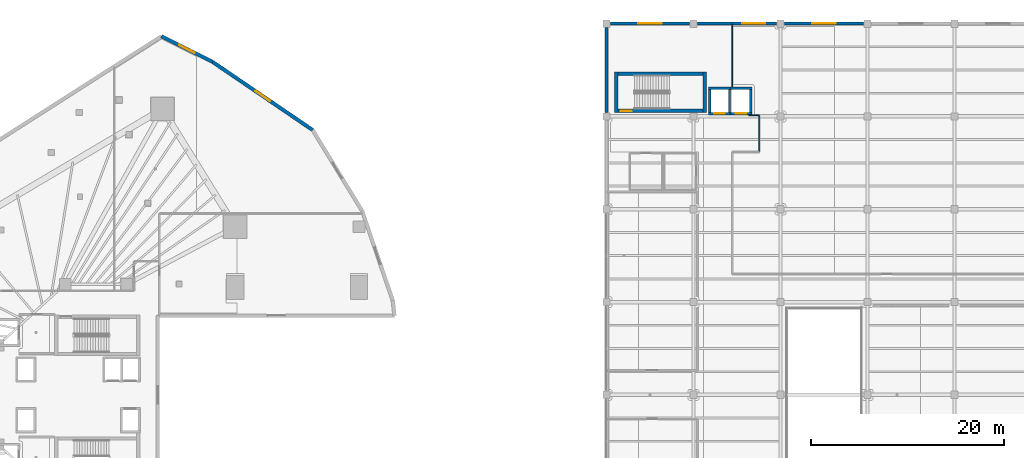
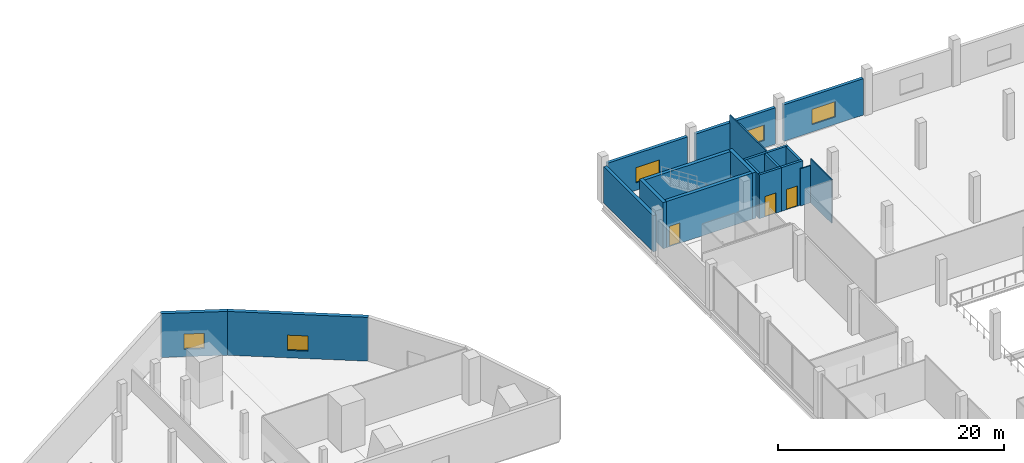
# One storey, part 33 of 47: 20 walls, 5 windows, 3 doors, 8 openings.
"""IFC4 building model written with IfcOpenShell, lengths in metres."""

from ifc_helpers import new_model, si_unit, direction, frame, frame_2d, origin, place, context, subcontext, project, spatial, rectangle, extrude, material, layer, layer_set, type_object, element, fill, save


model = new_model("IFC4")

# Units and contexts
model_context = context("Model", 3, precision=1e-05, world=origin(), true_north=direction((0.0, 1.0)))
body_context = subcontext(model_context, "Body", "Model", "MODEL_VIEW")
ifc_project = project(units=[si_unit("LENGTHUNIT", "METRE"), si_unit("AREAUNIT", "SQUARE_METRE"), si_unit("VOLUMEUNIT", "CUBIC_METRE"), si_unit("PLANEANGLEUNIT", "RADIAN"), si_unit("MASSUNIT", "GRAM", prefix="KILO")], contexts=[model_context])

# Site, building, storey
site_placement = place(None, origin())
site = spatial("IfcSite", under=ifc_project, at=site_placement, CompositionType="ELEMENT")
building_placement = place(site_placement, origin())
building = spatial("IfcBuilding", under=site, at=building_placement, Name="Qorvath Tower", CompositionType="ELEMENT")
storey_placement = place(building_placement, frame((0.0, 0.0, 12.0)))
storey = spatial("IfcBuildingStorey", under=building, at=storey_placement, Name="L02", CompositionType="ELEMENT", Elevation=12.0)

# Walls
ifc_material_1 = material(Name="Gypsum board on metal studs with mineral wool", Category="gypsum")
ifc_layer_1 = layer(ifc_material_1, 0.125)
ifc_layer_set_1 = layer_set([ifc_layer_1], Name="IW-PART-125")
wall_type_1 = type_object("IfcWallType", Name="IW-PART-125", PredefinedType="PARTITIONING", material=ifc_layer_set_1)
wall_1_placement = place(storey_placement, frame((48.18310546875, 28.907958984375, 0.0), z_axis=(0.0, 0.0, 1.0), x_axis=(-1.0, 0.0, 0.0)))
element("IfcWall", 1, at=wall_1_placement, inside=storey, type_object=wall_type_1, Name="Interior Partition IW-LB-L02-017", PredefinedType="PARTITIONING", context=body_context, shape_type="SweptSolid", body=[
    extrude(rectangle(XDim=1.05810546875, YDim=0.125, at=frame_2d((0.529052734375, 0.0))), origin(), (0.0, 0.0, 1.0), 4.01416015625),
])
wall_2_placement = place(storey_placement, frame((48.2080078125, 28.883056640625, 0.0), z_axis=(0.0, 0.0, 1.0), x_axis=(0.0, -1.0, 0.0)))
element("IfcWall", 2, at=wall_2_placement, inside=storey, type_object=wall_type_1, Name="Interior Partition IW-LB-L02-018", PredefinedType="PARTITIONING", context=body_context, shape_type="SweptSolid", body=[
    extrude(rectangle(XDim=3.745849609375, YDim=0.125, at=frame_2d((1.873046875, 0.0))), origin(), (0.0, 0.0, 1.0), 4.739990234375),
])
wall_3_placement = place(storey_placement, frame((45.39990234375, 38.320068359375, 0.0), z_axis=(0.0, 0.0, 1.0), x_axis=(0.0, -1.0, 0.0)))
element("IfcWall", 3, at=wall_3_placement, inside=storey, type_object=wall_type_1, Name="Interior Partition IW-LB-L02-022", PredefinedType="PARTITIONING", context=body_context, shape_type="SweptSolid", body=[
    extrude(rectangle(XDim=6.43505859375, YDim=0.125, at=frame_2d((3.217529296875, 0.0))), origin(), (0.0, 0.0, 1.0), 4.739990234375),
])

# Wall, opening, door
ifc_material_2 = material(Name="Concrete C60/75", Category="concrete")
ifc_layer_2 = layer(ifc_material_2, 0.260009765625)
ifc_layer_set_2 = layer_set([ifc_layer_2], Name="SW-SHAFT")
wall_type_2 = type_object("IfcWallType", Name="SW-SHAFT", PredefinedType="SHEAR", material=ifc_layer_set_2)
wall_4_placement = place(storey_placement, frame((45.239990234375, 29.080078125, 0.0), z_axis=(0.0, 0.0, 1.0), x_axis=(-1.0, 0.0, 0.0)))
wall_4 = element("IfcWall", 4, at=wall_4_placement, inside=storey, type_object=wall_type_2, Name="Hoistway Wall LL-1 L02 S", PredefinedType="SHEAR", context=body_context, shape_type="SweptSolid", body=[
    extrude(rectangle(XDim=2.280029296875, YDim=0.239990234375, at=frame_2d((1.14013671875, 0.0))), origin(), (0.0, 0.0, 1.0), 4.739990234375),
])
opening_1_placement = place(wall_4_placement, frame((0.58984375, 0.0, 0.0)))
opening_1 = element("IfcOpeningElement", 5, at=opening_1_placement, cuts=wall_4, Name="Opening LD-LL-1-L02", PredefinedType="OPENING", context=body_context, shape_type="SweptSolid", body=[
    extrude(rectangle(XDim=1.10009765625, YDim=2.199951171875, at=frame_2d((0.550048828125, 1.10009765625))), frame((0.0, 0.1298828125, 0.0), z_axis=(0.0, -1.0, 0.0), x_axis=(1.0, 0.0, 0.0)), (0.0, 0.0, 1.0), 0.260009765625),
])
ifc_material_3 = material(Name="Brushed stainless steel AISI 316", Category="steel")
door_type_1 = type_object("IfcDoorType", Name="LD-01", OperationType="NOTDEFINED", PredefinedType="DOOR", material=ifc_material_3)
door_1_placement = place(opening_1_placement, origin())
door_1 = element("IfcDoor", 6, at=door_1_placement, inside=storey, type_object=door_type_1, Name="Elevator Landing Sliding Door LD-LL-1-L02", OperationType="DOUBLE_DOOR_SLIDING", OverallHeight=2.199951171875, OverallWidth=1.10009765625, PredefinedType="DOOR", context=body_context, shape_type="SweptSolid", body=[
    extrude(rectangle(XDim=1.10009765625, YDim=2.199951171875, at=frame_2d((0.550048828125, 1.10009765625))), frame((0.0, 0.02490234375, 0.0), z_axis=(0.0, -1.0, 0.0), x_axis=(1.0, 0.0, 0.0)), (0.0, 0.0, 1.0), 0.050048828125),
])
fill(opening_1, door_1)

# Walls
wall_5_placement = place(storey_placement, frame((42.9599609375, 31.719970703125, 0.0), z_axis=(0.0, 0.0, 1.0), x_axis=(1.0, 0.0, 0.0)))
element("IfcWall", 7, at=wall_5_placement, inside=storey, type_object=wall_type_2, Name="Hoistway Wall LL-1 L02 N", PredefinedType="SHEAR", context=body_context, shape_type="SweptSolid", body=[
    extrude(rectangle(XDim=2.280029296875, YDim=0.239990234375, at=frame_2d((1.14013671875, 0.0))), origin(), (0.0, 0.0, 1.0), 4.739990234375),
])
for number, where, z_axis, x_axis, name in (
    (8, (43.080078125, 29.2119140625, 0.0), (0.0, 0.0, 1.0), (0.0, 1.0, 0.0), "Hoistway Wall LL-1 L02 W"),
    (9, (45.1201171875, 31.587890625, 0.0), (0.0, 0.0, 1.0), (0.0, -1.0, 0.0), "Hoistway Wall LL-1 L02 E"),
):
    element("IfcWall", number, at=place(storey_placement, frame(where, z_axis=z_axis, x_axis=x_axis)), inside=storey, type_object=wall_type_2, Name=name, PredefinedType="SHEAR", context=body_context, shape_type="SweptSolid", body=[
        extrude(rectangle(XDim=2.3759765625, YDim=0.239990234375, at=frame_2d((1.18798828125, 0.0))), origin(), (0.0, 0.0, 1.0), 4.739990234375),
    ])

# Wall, opening, door
wall_6_placement = place(storey_placement, frame((47.43994140625, 29.080078125, 0.0), z_axis=(0.0, 0.0, 1.0), x_axis=(-1.0, 0.0, 0.0)))
wall_6 = element("IfcWall", 10, at=wall_6_placement, inside=storey, type_object=wall_type_2, Name="Hoistway Wall LL-2 L02 S", PredefinedType="SHEAR", context=body_context, shape_type="SweptSolid", body=[
    extrude(rectangle(XDim=2.199951171875, YDim=0.239990234375, at=frame_2d((1.10009765625, 0.0))), origin(), (0.0, 0.0, 1.0), 4.739990234375),
])
opening_2_placement = place(wall_6_placement, frame((0.58984375, 0.0, 0.0)))
opening_2 = element("IfcOpeningElement", 11, at=opening_2_placement, cuts=wall_6, Name="Opening LD-LL-2-L02", PredefinedType="OPENING", context=body_context, shape_type="SweptSolid", body=[
    extrude(rectangle(XDim=1.10009765625, YDim=2.199951171875, at=frame_2d((0.550048828125, 1.10009765625))), frame((0.0, 0.1298828125, 0.0), z_axis=(0.0, -1.0, 0.0), x_axis=(1.0, 0.0, 0.0)), (0.0, 0.0, 1.0), 0.260009765625),
])
door_2_placement = place(opening_2_placement, origin())
door_2 = element("IfcDoor", 12, at=door_2_placement, inside=storey, type_object=door_type_1, Name="Elevator Landing Sliding Door LD-LL-2-L02", OperationType="DOUBLE_DOOR_SLIDING", OverallHeight=2.199951171875, OverallWidth=1.10009765625, PredefinedType="DOOR", context=body_context, shape_type="SweptSolid", body=[
    extrude(rectangle(XDim=1.10009765625, YDim=2.199951171875, at=frame_2d((0.550048828125, 1.10009765625))), frame((0.0, 0.02490234375, 0.0), z_axis=(0.0, -1.0, 0.0), x_axis=(1.0, 0.0, 0.0)), (0.0, 0.0, 1.0), 0.050048828125),
])
fill(opening_2, door_2)

# Walls
wall_7_placement = place(storey_placement, frame((45.239990234375, 31.719970703125, 0.0), z_axis=(0.0, 0.0, 1.0), x_axis=(1.0, 0.0, 0.0)))
element("IfcWall", 13, at=wall_7_placement, inside=storey, type_object=wall_type_2, Name="Hoistway Wall LL-2 L02 N", PredefinedType="SHEAR", context=body_context, shape_type="SweptSolid", body=[
    extrude(rectangle(XDim=2.199951171875, YDim=0.239990234375, at=frame_2d((1.10009765625, 0.0))), origin(), (0.0, 0.0, 1.0), 4.739990234375),
])
wall_8_placement = place(storey_placement, frame((47.320068359375, 31.587890625, 0.0), z_axis=(0.0, 0.0, 1.0), x_axis=(0.0, -1.0, 0.0)))
element("IfcWall", 14, at=wall_8_placement, inside=storey, type_object=wall_type_2, Name="Hoistway Wall LL-2 L02 E", PredefinedType="SHEAR", context=body_context, shape_type="SweptSolid", body=[
    extrude(rectangle(XDim=2.3759765625, YDim=0.239990234375, at=frame_2d((1.18798828125, 0.0))), origin(), (0.0, 0.0, 1.0), 4.739990234375),
])
ifc_material_4 = material(Name="Concrete C60/75", Category="concrete")
ifc_layer_3 = layer(ifc_material_4, 0.35009765625)
ifc_layer_set_3 = layer_set([ifc_layer_3], Name="SW-STAIR")
wall_type_3 = type_object("IfcWallType", Name="SW-STAIR", PredefinedType="SHEAR", material=ifc_layer_set_3)
for number, where, z_axis, x_axis, name in (
    (15, (33.425048828125, 33.409912109375, 0.0), (0.0, 0.0, 1.0), (0.0, -1.0, 0.0), "Stair LS1 Shear Wall L02 NEAR"),
    (16, (42.574951171875, 29.199951171875, 0.0), (0.0, 0.0, 1.0), (0.0, 1.0, 0.0), "Stair LS1 Shear Wall L02 FAR"),
):
    element("IfcWall", number, at=place(storey_placement, frame(where, z_axis=z_axis, x_axis=x_axis)), inside=storey, type_object=wall_type_3, Name=name, PredefinedType="SHEAR", context=body_context, shape_type="SweptSolid", body=[
        extrude(rectangle(XDim=4.2099609375, YDim=0.35009765625, at=frame_2d((2.10498046875, 0.0))), origin(), (0.0, 0.0, 1.0), 4.9951171875),
    ])

# Wall, opening, door
wall_9_placement = place(storey_placement, frame((33.614990234375, 29.375, 0.0), z_axis=(0.0, 0.0, 1.0), x_axis=(1.0, 0.0, 0.0)))
wall_9 = element("IfcWall", 17, at=wall_9_placement, inside=storey, type_object=wall_type_3, Name="Stair LS1 Shear Wall L02 LEFT", PredefinedType="SHEAR", context=body_context, shape_type="SweptSolid", body=[
    extrude(rectangle(XDim=8.77001953125, YDim=0.35009765625, at=frame_2d((4.385009765625, 0.0))), origin(), (0.0, 0.0, 1.0), 4.9951171875),
])
opening_3_placement = place(wall_9_placement, frame((0.280029296875, 0.0, 0.0)))
opening_3 = element("IfcOpeningElement", 18, at=opening_3_placement, cuts=wall_9, Name="Opening D-LS1-L02", PredefinedType="OPENING", context=body_context, shape_type="SweptSolid", body=[
    extrude(rectangle(XDim=1.10009765625, YDim=2.199951171875, at=frame_2d((0.550048828125, 1.10009765625))), frame((0.0, 0.18505859375, 0.0), z_axis=(0.0, -1.0, 0.0), x_axis=(1.0, 0.0, 0.0)), (0.0, 0.0, 1.0), 0.3701171875),
])
ifc_material_5 = material(Name="Painted galvanised hollow metal", Category="steel")
door_type_2 = type_object("IfcDoorType", Name="FD-90", OperationType="NOTDEFINED", PredefinedType="DOOR", material=ifc_material_5)
door_3_placement = place(opening_3_placement, origin())
door_3 = element("IfcDoor", 19, at=door_3_placement, inside=storey, type_object=door_type_2, Name="Stair LS1 Fire Door L02", OperationType="SINGLE_SWING_LEFT", OverallHeight=2.199951171875, OverallWidth=1.10009765625, PredefinedType="DOOR", context=body_context, shape_type="SweptSolid", body=[
    extrude(rectangle(XDim=1.10009765625, YDim=2.199951171875, at=frame_2d((0.550048828125, 1.10009765625))), frame((0.0, 0.02490234375, 0.0), z_axis=(0.0, -1.0, 0.0), x_axis=(1.0, 0.0, 0.0)), (0.0, 0.0, 1.0), 0.050048828125),
])
fill(opening_3, door_3)

# Walls
wall_10_placement = place(storey_placement, frame((42.385009765625, 33.235107421875, 0.0), z_axis=(0.0, 0.0, 1.0), x_axis=(-1.0, 0.0, 0.0)))
element("IfcWall", 20, at=wall_10_placement, inside=storey, type_object=wall_type_3, Name="Stair LS1 Shear Wall L02 RIGHT", PredefinedType="SHEAR", context=body_context, shape_type="SweptSolid", body=[
    extrude(rectangle(XDim=8.77001953125, YDim=0.35009765625, at=frame_2d((4.385009765625, 0.0))), origin(), (0.0, 0.0, 1.0), 4.9951171875),
])
ifc_material_6 = material(Name="Precast concrete C45/55", Category="concrete")
ifc_layer_4 = layer(ifc_material_6, 0.320068359375)
ifc_layer_set_4 = layer_set([ifc_layer_4], Name="WL-EW-LIB-320")
wall_type_4 = type_object("IfcWallType", Name="WL-EW-LIB-320", PredefinedType="SOLIDWALL", material=ifc_layer_set_4)
wall_11_placement = place(storey_placement, frame((32.39990234375, 29.219970703125, 0.0), z_axis=(0.0, 0.0, 1.0), x_axis=(0.0, 1.0, 0.0)))
element("IfcWall", 21, at=wall_11_placement, inside=storey, type_object=wall_type_4, Name="Library West Precast Facade Wall L02-8", PredefinedType="SOLIDWALL", context=body_context, shape_type="SweptSolid", body=[
    extrude(rectangle(XDim=8.760009765625, YDim=0.320068359375, at=frame_2d((4.3798828125, 0.0))), origin(), (0.0, 0.0, 1.0), 3.93701171875),
])

# Wall, opening, window
wall_12_placement = place(storey_placement, frame((50.820068359375, 38.39990234375, 0.0), z_axis=(0.0, 0.0, 1.0), x_axis=(1.0, 0.0, 0.0)))
wall_12 = element("IfcWall", 22, at=wall_12_placement, inside=storey, type_object=wall_type_4, Name="Library N Precast Wall L02-3", PredefinedType="SOLIDWALL", context=body_context, shape_type="SweptSolid", body=[
    extrude(rectangle(XDim=8.159912109375, YDim=0.320068359375, at=frame_2d((4.080078125, 0.0))), origin(), (0.0, 0.0, 1.0), 3.93701171875),
])
opening_4_placement = place(wall_12_placement, frame((2.8798828125, 0.0, 0.800048828125)))
opening_4 = element("IfcOpeningElement", 23, at=opening_4_placement, cuts=wall_12, Name="Opening WN-L-103", PredefinedType="OPENING", context=body_context, shape_type="SweptSolid", body=[
    extrude(rectangle(XDim=2.39990234375, YDim=1.64990234375, at=frame_2d((1.199951171875, 0.824951171875))), frame((0.0, 0.169921875, 0.0), z_axis=(0.0, -1.0, 0.0), x_axis=(1.0, 0.0, 0.0)), (0.0, 0.0, 1.0), 0.340087890625),
])
ifc_material_7 = material(Name="Thermally broken aluminium and triple low-E glass", Category="aluminium")
window_type_1 = type_object("IfcWindowType", Name="WN-2", PartitioningType="SINGLE_PANEL", PredefinedType="WINDOW", material=ifc_material_7)
window_1_placement = place(opening_4_placement, origin())
window_1 = element("IfcWindow", 24, at=window_1_placement, inside=storey, type_object=window_type_1, Name="Library Reading Punched Window 103", OverallHeight=1.64990234375, OverallWidth=2.39990234375, PartitioningType="SINGLE_PANEL", PredefinedType="WINDOW", context=body_context, shape_type="SweptSolid", body=[
    extrude(rectangle(XDim=2.39990234375, YDim=1.64990234375, at=frame_2d((1.199951171875, 0.824951171875))), frame((0.0, 0.030029296875, 0.0), z_axis=(0.0, -1.0, 0.0), x_axis=(1.0, 0.0, 0.0)), (0.0, 0.0, 1.0), 0.06005859375),
])
fill(opening_4, window_1)

wall_13_placement = place(storey_placement, frame((41.820068359375, 38.39990234375, 0.0), z_axis=(0.0, 0.0, 1.0), x_axis=(1.0, 0.0, 0.0)))
wall_13 = element("IfcWall", 25, at=wall_13_placement, inside=storey, type_object=wall_type_4, Name="Library N Precast Wall L02-4", PredefinedType="SOLIDWALL", context=body_context, shape_type="SweptSolid", body=[
    extrude(rectangle(XDim=8.159912109375, YDim=0.320068359375, at=frame_2d((4.080078125, 0.0))), origin(), (0.0, 0.0, 1.0), 3.93701171875),
])
opening_5_placement = place(wall_13_placement, frame((4.625, 0.0, 0.800048828125)))
opening_5 = element("IfcOpeningElement", 26, at=opening_5_placement, cuts=wall_13, Name="Opening WN-L-104", PredefinedType="OPENING", context=body_context, shape_type="SweptSolid", body=[
    extrude(rectangle(XDim=2.39990234375, YDim=1.64990234375, at=frame_2d((1.199951171875, 0.824951171875))), frame((0.0, 0.169921875, 0.0), z_axis=(0.0, -1.0, 0.0), x_axis=(1.0, 0.0, 0.0)), (0.0, 0.0, 1.0), 0.340087890625),
])
window_2_placement = place(opening_5_placement, origin())
window_2 = element("IfcWindow", 27, at=window_2_placement, inside=storey, type_object=window_type_1, Name="Library Reading Punched Window 104", OverallHeight=1.64990234375, OverallWidth=2.39990234375, PartitioningType="SINGLE_PANEL", PredefinedType="WINDOW", context=body_context, shape_type="SweptSolid", body=[
    extrude(rectangle(XDim=2.39990234375, YDim=1.64990234375, at=frame_2d((1.199951171875, 0.824951171875))), frame((0.0, 0.030029296875, 0.0), z_axis=(0.0, -1.0, 0.0), x_axis=(1.0, 0.0, 0.0)), (0.0, 0.0, 1.0), 0.06005859375),
])
fill(opening_5, window_2)

wall_14_placement = place(storey_placement, frame((32.820068359375, 38.39990234375, 0.0), z_axis=(0.0, 0.0, 1.0), x_axis=(1.0, 0.0, 0.0)))
wall_14 = element("IfcWall", 28, at=wall_14_placement, inside=storey, type_object=wall_type_4, Name="Library N Precast Wall L02-5", PredefinedType="SOLIDWALL", context=body_context, shape_type="SweptSolid", body=[
    extrude(rectangle(XDim=8.159912109375, YDim=0.320068359375, at=frame_2d((4.080078125, 0.0))), origin(), (0.0, 0.0, 1.0), 3.93701171875),
])
opening_6_placement = place(wall_14_placement, frame((2.8798828125, 0.0, 0.800048828125)))
opening_6 = element("IfcOpeningElement", 29, at=opening_6_placement, cuts=wall_14, Name="Opening WN-L-105", PredefinedType="OPENING", context=body_context, shape_type="SweptSolid", body=[
    extrude(rectangle(XDim=2.39990234375, YDim=1.64990234375, at=frame_2d((1.199951171875, 0.824951171875))), frame((0.0, 0.169921875, 0.0), z_axis=(0.0, -1.0, 0.0), x_axis=(1.0, 0.0, 0.0)), (0.0, 0.0, 1.0), 0.340087890625),
])
window_3_placement = place(opening_6_placement, origin())
window_3 = element("IfcWindow", 30, at=window_3_placement, inside=storey, type_object=window_type_1, Name="Library Reading Punched Window 105", OverallHeight=1.64990234375, OverallWidth=2.39990234375, PartitioningType="SINGLE_PANEL", PredefinedType="WINDOW", context=body_context, shape_type="SweptSolid", body=[
    extrude(rectangle(XDim=2.39990234375, YDim=1.64990234375, at=frame_2d((1.199951171875, 0.824951171875))), frame((0.0, 0.030029296875, 0.0), z_axis=(0.0, -1.0, 0.0), x_axis=(1.0, 0.0, 0.0)), (0.0, 0.0, 1.0), 0.06005859375),
])
fill(opening_6, window_3)

ifc_material_8 = material(Name="Precast concrete C50/60", Category="concrete")
ifc_layer_5 = layer(ifc_material_8, 0.3798828125)
ifc_layer_set_5 = layer_set([ifc_layer_5], Name="WL-EW-POD-380")
wall_type_5 = type_object("IfcWallType", Name="WL-EW-POD-380", PredefinedType="SOLIDWALL", material=ifc_layer_set_5)
wall_15_placement = place(storey_placement, frame((-8.3359375, 34.44482421875, 0.0), z_axis=(0.0, 0.0, 1.0), x_axis=(0.826650936963, -0.562715050819, 0.0)))
wall_15 = element("IfcWall", 31, at=wall_15_placement, inside=storey, type_object=wall_type_5, Name="Tower Podium Precast Facade Wall L02-7.1", PredefinedType="SOLIDWALL", context=body_context, shape_type="SweptSolid", body=[
    extrude(rectangle(XDim=12.528076171875, YDim=0.3798828125, at=frame_2d((6.26416015625, 0.0))), origin(), (0.0, 0.0, 1.0), 4.739990234375),
])
opening_7_placement = place(wall_15_placement, frame((5.364013671875, 0.0, 0.800048828125)))
opening_7 = element("IfcOpeningElement", 32, at=opening_7_placement, cuts=wall_15, Name="Opening WN-L02-020", PredefinedType="OPENING", context=body_context, shape_type="SweptSolid", body=[
    extrude(rectangle(XDim=1.800048828125, YDim=1.64990234375, at=frame_2d((0.89990234375, 0.824951171875))), frame((0.0, 0.199951171875, 0.0), z_axis=(0.0, -1.0, 0.0), x_axis=(1.0, 0.0, 0.0)), (0.0, 0.0, 1.0), 0.39990234375),
])
ifc_material_9 = material(Name="Thermally broken aluminium and triple low-E glass", Category="aluminium")
window_type_2 = type_object("IfcWindowType", Name="WN-1", PartitioningType="SINGLE_PANEL", PredefinedType="WINDOW", material=ifc_material_9)
window_4_placement = place(opening_7_placement, origin())
window_4 = element("IfcWindow", 33, at=window_4_placement, inside=storey, type_object=window_type_2, Name="Podium Punched Window L02-020", OverallHeight=1.64990234375, OverallWidth=1.800048828125, PartitioningType="SINGLE_PANEL", PredefinedType="WINDOW", context=body_context, shape_type="SweptSolid", body=[
    extrude(rectangle(XDim=1.800048828125, YDim=1.64990234375, at=frame_2d((0.89990234375, 0.824951171875))), frame((0.0, 0.030029296875, 0.0), z_axis=(0.0, -1.0, 0.0), x_axis=(1.0, 0.0, 0.0)), (0.0, 0.0, 1.0), 0.06005859375),
])
fill(opening_7, window_4)

wall_16_placement = place(storey_placement, frame((-13.63525390625, 37.094482421875, 0.0), z_axis=(0.0, 0.0, 1.0), x_axis=(0.894427191, -0.4472135955, 0.0)))
wall_16 = element("IfcWall", 34, at=wall_16_placement, inside=storey, type_object=wall_type_5, Name="Tower Podium Precast Facade Wall L02-8.1", PredefinedType="SOLIDWALL", context=body_context, shape_type="SweptSolid", body=[
    extrude(rectangle(XDim=5.9248046875, YDim=0.3798828125, at=frame_2d((2.96240234375, 0.0))), origin(), (0.0, 0.0, 1.0), 4.739990234375),
])
opening_8_placement = place(wall_16_placement, frame((2.0625, 0.0, 0.800048828125)))
opening_8 = element("IfcOpeningElement", 35, at=opening_8_placement, cuts=wall_16, Name="Opening WN-L02-021", PredefinedType="OPENING", context=body_context, shape_type="SweptSolid", body=[
    extrude(rectangle(XDim=1.800048828125, YDim=1.64990234375, at=frame_2d((0.89990234375, 0.824951171875))), frame((0.0, 0.199951171875, 0.0), z_axis=(0.0, -1.0, 0.0), x_axis=(1.0, 0.0, 0.0)), (0.0, 0.0, 1.0), 0.39990234375),
])
window_5_placement = place(opening_8_placement, origin())
window_5 = element("IfcWindow", 36, at=window_5_placement, inside=storey, type_object=window_type_2, Name="Podium Punched Window L02-021", OverallHeight=1.64990234375, OverallWidth=1.800048828125, PartitioningType="SINGLE_PANEL", PredefinedType="WINDOW", context=body_context, shape_type="SweptSolid", body=[
    extrude(rectangle(XDim=1.800048828125, YDim=1.64990234375, at=frame_2d((0.89990234375, 0.824951171875))), frame((0.0, 0.030029296875, 0.0), z_axis=(0.0, -1.0, 0.0), x_axis=(1.0, 0.0, 0.0)), (0.0, 0.0, 1.0), 0.06005859375),
])
fill(opening_8, window_5)

save(model, "model.ifc")
